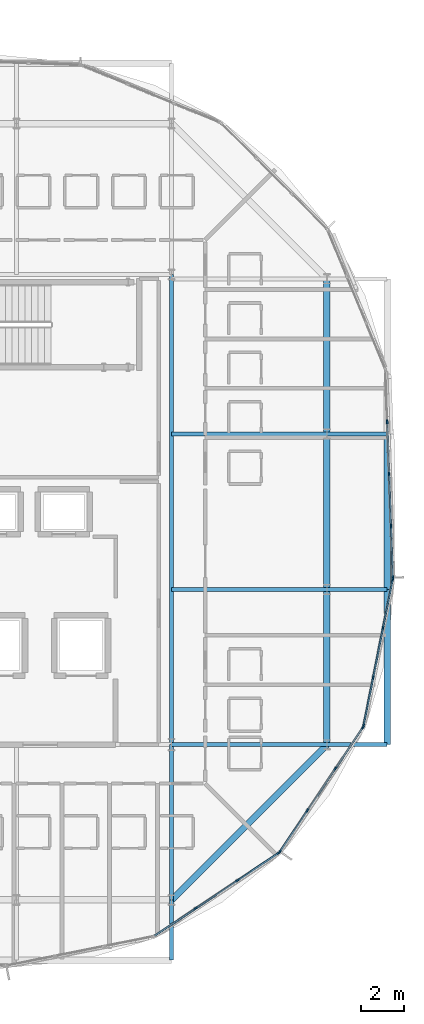
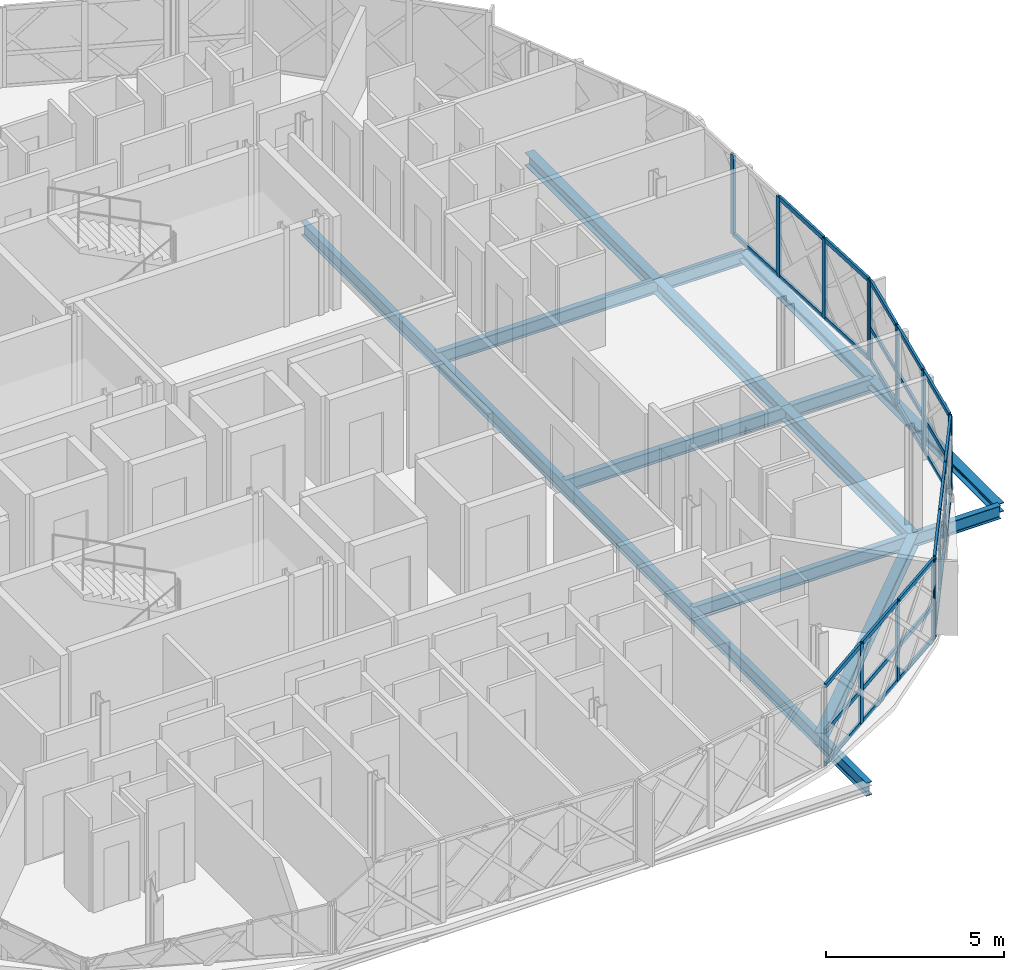
# One storey, part 11 of 40: 44 members, 15 beams, 4 elements without a shape of their own.
"""IFC4 building model written with IfcOpenShell, lengths in metres."""

from ifc_helpers import new_model, si_unit, direction, frame, origin, origin_2d, place, context, subcontext, project, spatial, rectangle, i_section, extrude, material, layer, layer_set, material_profile, profile_set, type_object, element, aggregate, save


model = new_model("IFC4")

# Units and contexts
model_context = context("Model", 3, precision=1e-05, world=origin(), true_north=direction((0.0, 1.0)))
body_context = subcontext(model_context, "Body", "Model", "MODEL_VIEW")
ifc_project = project(units=[si_unit("LENGTHUNIT", "METRE"), si_unit("AREAUNIT", "SQUARE_METRE"), si_unit("VOLUMEUNIT", "CUBIC_METRE"), si_unit("PLANEANGLEUNIT", "RADIAN"), si_unit("MASSUNIT", "GRAM", prefix="KILO")], contexts=[model_context])

# Site, building, storey
site_placement = place(None, origin())
site = spatial("IfcSite", under=ifc_project, at=site_placement, CompositionType="ELEMENT")
building_placement = place(site_placement, origin())
building = spatial("IfcBuilding", under=site, at=building_placement, Name="Zevrakil Square Congress Hotel", CompositionType="ELEMENT")
storey_placement = place(building_placement, frame((0.0, 0.0, 18.10009765625)))
storey = spatial("IfcBuildingStorey", under=building, at=storey_placement, Name="L05", CompositionType="ELEMENT", Elevation=18.10009765625)

# Beams
ifc_material_1 = material(Name="Steel S355", Category="steel")
ifc_material_profile_1 = material_profile(ifc_material_1, i_section(OverallWidth=0.300048828125, OverallDepth=0.43994140625, WebThickness=0.011474609375, FlangeThickness=0.02099609375, FilletRadius=0.027099609375, at=origin_2d()), Name="HEA 450")
ifc_profile_set_1 = profile_set([ifc_material_profile_1], Name="Steel S355")
beam_type_1 = type_object("IfcBeamType", Name="BM-HEA450", PredefinedType="BEAM", material=ifc_profile_set_1)
beam_1_placement = place(storey_placement, frame((156.0, 9.60009765625, -0.405029296875), z_axis=(0.707106781187, 0.707106781187, 0.0), x_axis=(-0.707106781187, 0.707106781187, 0.0)))
element("IfcBeam", 1, at=beam_1_placement, inside=storey, type_object=beam_type_1, Name="L05 drum ring girder DRB-04", PredefinedType="BEAM", context=body_context, shape_type="SweptSolid", body=[
    extrude(i_section(OverallWidth=0.300048828125, OverallDepth=0.43994140625, WebThickness=0.011474609375, FlangeThickness=0.02099609375, FilletRadius=0.027099609375, at=origin_2d()), origin(), (0.0, 0.0, 1.0), 10.182373046875),
])
for number, where, z_axis, x_axis, name in (
    (2, (163.199951171875, 16.800048828125, -0.405029296875), (0.0, 1.0, 0.0), (-1.0, 0.0, 0.0), "L05 drum ring girder DRB-05"),
    (3, (163.199951171875, 24.0, -0.405029296875), (0.0, 1.0, 0.0), (-1.0, 0.0, 0.0), "L05 drum ring girder DRB-06"),
    (4, (163.199951171875, 31.199951171875, -0.405029296875), (0.0, 1.0, 0.0), (-1.0, 0.0, 0.0), "L05 drum ring girder DRB-07"),
):
    element("IfcBeam", number, at=place(storey_placement, frame(where, z_axis=z_axis, x_axis=x_axis)), inside=storey, type_object=beam_type_1, Name=name, PredefinedType="BEAM", context=body_context, shape_type="SweptSolid", body=[
        extrude(i_section(OverallWidth=0.300048828125, OverallDepth=0.43994140625, WebThickness=0.011474609375, FlangeThickness=0.02099609375, FilletRadius=0.027099609375, at=origin_2d()), origin(), (0.0, 0.0, 1.0), 7.199951171875),
    ])
ifc_material_2 = material(Name="Steel S355", Category="steel")
ifc_material_profile_2 = material_profile(ifc_material_2, i_section(OverallWidth=0.18994140625, OverallDepth=0.449951171875, WebThickness=0.009521484375, FlangeThickness=0.0146484375, FilletRadius=0.02099609375, at=origin_2d()), Name="IPE 450")
ifc_profile_set_2 = profile_set([ifc_material_profile_2], Name="Steel S355")
beam_type_2 = type_object("IfcBeamType", Name="BM-IPE450", PredefinedType="BEAM", material=ifc_profile_set_2)
beam_2_placement = place(storey_placement, frame((156.0, 16.800048828125, -0.41015625), z_axis=(0.0, 1.0, 0.0), x_axis=(-1.0, 0.0, 0.0)))
element("IfcBeam", 5, at=beam_2_placement, inside=storey, type_object=beam_type_2, Name="L05 drum core perimeter tie beam DCB-02", PredefinedType="BEAM", context=body_context, shape_type="SweptSolid", body=[
    extrude(i_section(OverallWidth=0.18994140625, OverallDepth=0.449951171875, WebThickness=0.009521484375, FlangeThickness=0.0146484375, FilletRadius=0.02099609375, at=origin_2d()), origin(), (0.0, 0.0, 1.0), 21.800048828125),
])
beam_3_placement = place(storey_placement, frame((156.0, 16.800048828125, -0.41015625), z_axis=(0.0, -1.0, 0.0), x_axis=(1.0, 0.0, 0.0)))
element("IfcBeam", 6, at=beam_3_placement, inside=storey, type_object=beam_type_2, Name="L05 drum radial floor beam DRI-04", PredefinedType="BEAM", context=body_context, shape_type="SweptSolid", body=[
    extrude(i_section(OverallWidth=0.18994140625, OverallDepth=0.449951171875, WebThickness=0.009521484375, FlangeThickness=0.0146484375, FilletRadius=0.02099609375, at=origin_2d()), origin(), (0.0, 0.0, 1.0), 7.199951171875),
])
beam_4_placement = place(storey_placement, frame((156.0, 9.60009765625, -0.41015625), z_axis=(0.0, -1.0, 0.0), x_axis=(1.0, 0.0, 0.0)))
element("IfcBeam", 7, at=beam_4_placement, inside=storey, type_object=beam_type_2, Name="L05 drum radial edge cantilever beam DRO-04", PredefinedType="BEAM", context=body_context, shape_type="SweptSolid", body=[
    extrude(i_section(OverallWidth=0.18994140625, OverallDepth=0.449951171875, WebThickness=0.009521484375, FlangeThickness=0.0146484375, FilletRadius=0.02099609375, at=origin_2d()), origin(), (0.0, 0.0, 1.0), 2.79248046875),
])
beam_5_placement = place(storey_placement, frame((156.0, 16.800048828125, -0.41015625), z_axis=(1.0, 0.0, 0.0), x_axis=(0.0, 1.0, 0.0)))
element("IfcBeam", 8, at=beam_5_placement, inside=storey, type_object=beam_type_2, Name="L05 drum radial floor beam DRI-05", PredefinedType="BEAM", context=body_context, shape_type="SweptSolid", body=[
    extrude(i_section(OverallWidth=0.18994140625, OverallDepth=0.449951171875, WebThickness=0.009521484375, FlangeThickness=0.0146484375, FilletRadius=0.02099609375, at=origin_2d()), origin(), (0.0, 0.0, 1.0), 7.199951171875),
])
beam_6_placement = place(storey_placement, frame((163.199951171875, 16.800048828125, -0.41015625), z_axis=(1.0, 0.0, 0.0), x_axis=(0.0, 1.0, 0.0)))
element("IfcBeam", 9, at=beam_6_placement, inside=storey, type_object=beam_type_2, Name="L05 drum radial edge cantilever beam DRO-05", PredefinedType="BEAM", context=body_context, shape_type="SweptSolid", body=[
    extrude(i_section(OverallWidth=0.18994140625, OverallDepth=0.449951171875, WebThickness=0.009521484375, FlangeThickness=0.0146484375, FilletRadius=0.02099609375, at=origin_2d()), origin(), (0.0, 0.0, 1.0), 2.79248046875),
])
beam_7_placement = place(storey_placement, frame((156.0, 24.0, -0.41015625), z_axis=(1.0, 0.0, 0.0), x_axis=(0.0, 1.0, 0.0)))
element("IfcBeam", 10, at=beam_7_placement, inside=storey, type_object=beam_type_2, Name="L05 drum radial floor beam DRI-06", PredefinedType="BEAM", context=body_context, shape_type="SweptSolid", body=[
    extrude(i_section(OverallWidth=0.18994140625, OverallDepth=0.449951171875, WebThickness=0.009521484375, FlangeThickness=0.0146484375, FilletRadius=0.02099609375, at=origin_2d()), origin(), (0.0, 0.0, 1.0), 7.199951171875),
])
beam_8_placement = place(storey_placement, frame((163.199951171875, 24.0, -0.41015625), z_axis=(1.0, 0.0, 0.0), x_axis=(0.0, 1.0, 0.0)))
element("IfcBeam", 11, at=beam_8_placement, inside=storey, type_object=beam_type_2, Name="L05 drum radial edge cantilever beam DRO-06", PredefinedType="BEAM", context=body_context, shape_type="SweptSolid", body=[
    extrude(i_section(OverallWidth=0.18994140625, OverallDepth=0.449951171875, WebThickness=0.009521484375, FlangeThickness=0.0146484375, FilletRadius=0.02099609375, at=origin_2d()), origin(), (0.0, 0.0, 1.0), 2.79248046875),
])
beam_9_placement = place(storey_placement, frame((156.0, 31.199951171875, -0.41015625), z_axis=(1.0, 0.0, 0.0), x_axis=(0.0, 1.0, 0.0)))
element("IfcBeam", 12, at=beam_9_placement, inside=storey, type_object=beam_type_2, Name="L05 drum radial floor beam DRI-07", PredefinedType="BEAM", context=body_context, shape_type="SweptSolid", body=[
    extrude(i_section(OverallWidth=0.18994140625, OverallDepth=0.449951171875, WebThickness=0.009521484375, FlangeThickness=0.0146484375, FilletRadius=0.02099609375, at=origin_2d()), origin(), (0.0, 0.0, 1.0), 7.199951171875),
])
beam_10_placement = place(storey_placement, frame((163.199951171875, 31.199951171875, -0.41015625), z_axis=(1.0, 0.0, 0.0), x_axis=(0.0, 1.0, 0.0)))
element("IfcBeam", 13, at=beam_10_placement, inside=storey, type_object=beam_type_2, Name="L05 drum radial edge cantilever beam DRO-07", PredefinedType="BEAM", context=body_context, shape_type="SweptSolid", body=[
    extrude(i_section(OverallWidth=0.18994140625, OverallDepth=0.449951171875, WebThickness=0.009521484375, FlangeThickness=0.0146484375, FilletRadius=0.02099609375, at=origin_2d()), origin(), (0.0, 0.0, 1.0), 2.79248046875),
])

# Curtain wall, members
ifc_material_3 = material(Name="Aluminium Anodised Bronze", Category="aluminium")
ifc_layer_1 = layer(ifc_material_3, 0.179931640625)
ifc_layer_set_1 = layer_set([ifc_layer_1], Name="Aluminium Anodised Bronze")
curtain_wall_type_1 = type_object("IfcCurtainWallType", Name="CW-L05-720", PredefinedType="USERDEFINED", material=ifc_layer_set_1)
curtain_wall_1_placement = place(storey_placement, origin())
curtain_wall_1 = element("IfcCurtainWall", 14, at=curtain_wall_1_placement, inside=storey, type_object=curtain_wall_type_1, Name="L05 diamond curtain wall CW-L05-0184", ObjectType="GLAZED CURTAIN WALL", PredefinedType="USERDEFINED")
ifc_material_4 = material(Name="Aluminium Anodised Bronze", Category="aluminium")
ifc_material_profile_3 = material_profile(ifc_material_4, rectangle(XDim=0.074951171875, YDim=0.14990234375, at=origin_2d()), Name="ALU 75x150")
ifc_profile_set_3 = profile_set([ifc_material_profile_3], Name="Aluminium Anodised Bronze")
member_type_1 = type_object("IfcMemberType", Name="CWM-ALU75x150", PredefinedType="USERDEFINED", material=ifc_profile_set_3)
member_1_placement = place(storey_placement, frame((155.218505859375, 7.947509765625, 0.02978515625), z_axis=(0.831464280743, 0.555578212179, 0.0), x_axis=(-0.555578212179, 0.831464280743, 0.0)))
member_1 = element("IfcMember", 15, at=member_1_placement, type_object=member_type_1, Name="CW-58 transom 1.1", ObjectType="TRANSOM", PredefinedType="USERDEFINED", context=body_context, shape_type="SweptSolid", body=[
    extrude(rectangle(XDim=0.074951171875, YDim=0.14990234375, at=origin_2d()), origin(), (0.0, 0.0, 1.0), 2.2451171875),
])
member_2_placement = place(storey_placement, frame((155.218505859375, 7.947509765625, 1.15283203125), z_axis=(0.831464280743, 0.555578212179, 0.0), x_axis=(-0.555578212179, 0.831464280743, 0.0)))
member_2 = element("IfcMember", 16, at=member_2_placement, type_object=member_type_1, Name="CW-58 transom 1.2", ObjectType="TRANSOM", PredefinedType="USERDEFINED", context=body_context, shape_type="SweptSolid", body=[
    extrude(rectangle(XDim=0.074951171875, YDim=0.14990234375, at=origin_2d()), origin(), (0.0, 0.0, 1.0), 2.2451171875),
])
member_3_placement = place(storey_placement, frame((155.218505859375, 7.947509765625, 2.71484375), z_axis=(0.831464280743, 0.555578212179, 0.0), x_axis=(-0.555578212179, 0.831464280743, 0.0)))
member_3 = element("IfcMember", 17, at=member_3_placement, type_object=member_type_1, Name="CW-58 transom 1.3", ObjectType="TRANSOM", PredefinedType="USERDEFINED", context=body_context, shape_type="SweptSolid", body=[
    extrude(rectangle(XDim=0.074951171875, YDim=0.14990234375, at=origin_2d()), origin(), (0.0, 0.0, 1.0), 2.2451171875),
])
member_4_placement = place(storey_placement, frame((157.13525390625, 9.228271484375, 0.02978515625), z_axis=(0.831455548606, 0.555591280253, 0.0), x_axis=(-0.555591280253, 0.831455548606, 0.0)))
member_4 = element("IfcMember", 18, at=member_4_placement, type_object=member_type_1, Name="CW-58 transom 2.1", ObjectType="TRANSOM", PredefinedType="USERDEFINED", context=body_context, shape_type="SweptSolid", body=[
    extrude(rectangle(XDim=0.074951171875, YDim=0.14990234375, at=origin_2d()), origin(), (0.0, 0.0, 1.0), 2.275390625),
])
member_5_placement = place(storey_placement, frame((157.13525390625, 9.228271484375, 1.15283203125), z_axis=(0.831455548606, 0.555591280253, 0.0), x_axis=(-0.555591280253, 0.831455548606, 0.0)))
member_5 = element("IfcMember", 19, at=member_5_placement, type_object=member_type_1, Name="CW-58 transom 2.2", ObjectType="TRANSOM", PredefinedType="USERDEFINED", context=body_context, shape_type="SweptSolid", body=[
    extrude(rectangle(XDim=0.074951171875, YDim=0.14990234375, at=origin_2d()), origin(), (0.0, 0.0, 1.0), 2.275390625),
])
member_6_placement = place(storey_placement, frame((157.13525390625, 9.228271484375, 2.71484375), z_axis=(0.831455548606, 0.555591280253, 0.0), x_axis=(-0.555591280253, 0.831455548606, 0.0)))
member_6 = element("IfcMember", 20, at=member_6_placement, type_object=member_type_1, Name="CW-58 transom 2.3", ObjectType="TRANSOM", PredefinedType="USERDEFINED", context=body_context, shape_type="SweptSolid", body=[
    extrude(rectangle(XDim=0.074951171875, YDim=0.14990234375, at=origin_2d()), origin(), (0.0, 0.0, 1.0), 2.275390625),
])
member_7_placement = place(storey_placement, frame((159.076904296875, 10.525634765625, 0.02978515625), z_axis=(0.831464280743, 0.555578212179, 0.0), x_axis=(-0.555578212179, 0.831464280743, 0.0)))
member_7 = element("IfcMember", 21, at=member_7_placement, type_object=member_type_1, Name="CW-58 transom 3.1", ObjectType="TRANSOM", PredefinedType="USERDEFINED", context=body_context, shape_type="SweptSolid", body=[
    extrude(rectangle(XDim=0.074951171875, YDim=0.14990234375, at=origin_2d()), origin(), (0.0, 0.0, 1.0), 2.2451171875),
])
member_8_placement = place(storey_placement, frame((159.076904296875, 10.525634765625, 1.15283203125), z_axis=(0.831464280743, 0.555578212179, 0.0), x_axis=(-0.555578212179, 0.831464280743, 0.0)))
member_8 = element("IfcMember", 22, at=member_8_placement, type_object=member_type_1, Name="CW-58 transom 3.2", ObjectType="TRANSOM", PredefinedType="USERDEFINED", context=body_context, shape_type="SweptSolid", body=[
    extrude(rectangle(XDim=0.074951171875, YDim=0.14990234375, at=origin_2d()), origin(), (0.0, 0.0, 1.0), 2.2451171875),
])
member_9_placement = place(storey_placement, frame((159.076904296875, 10.525634765625, 2.71484375), z_axis=(0.831464280743, 0.555578212179, 0.0), x_axis=(-0.555578212179, 0.831464280743, 0.0)))
member_9 = element("IfcMember", 23, at=member_9_placement, type_object=member_type_1, Name="CW-58 transom 3.3", ObjectType="TRANSOM", PredefinedType="USERDEFINED", context=body_context, shape_type="SweptSolid", body=[
    extrude(rectangle(XDim=0.074951171875, YDim=0.14990234375, at=origin_2d()), origin(), (0.0, 0.0, 1.0), 2.2451171875),
])

curtain_wall_2_placement = place(storey_placement, origin())
curtain_wall_2 = element("IfcCurtainWall", 24, at=curtain_wall_2_placement, inside=storey, type_object=curtain_wall_type_1, Name="L05 diamond curtain wall CW-L05-0185", ObjectType="GLAZED CURTAIN WALL", PredefinedType="USERDEFINED")
member_10_placement = place(storey_placement, frame((161.02685546875, 11.856201171875, 0.02978515625), z_axis=(0.555603153119, 0.831447614853, 0.0), x_axis=(-0.831447614853, 0.555603153119, 0.0)))
member_10 = element("IfcMember", 25, at=member_10_placement, type_object=member_type_1, Name="CW-58 transom 1.1", ObjectType="TRANSOM", PredefinedType="USERDEFINED", context=body_context, shape_type="SweptSolid", body=[
    extrude(rectangle(XDim=0.074951171875, YDim=0.14990234375, at=origin_2d()), origin(), (0.0, 0.0, 1.0), 2.245361328125),
])
member_11_placement = place(storey_placement, frame((161.02685546875, 11.856201171875, 2.71484375), z_axis=(0.555603153119, 0.831447614853, 0.0), x_axis=(-0.831447614853, 0.555603153119, 0.0)))
member_11 = element("IfcMember", 26, at=member_11_placement, type_object=member_type_1, Name="CW-58 transom 1.2", ObjectType="TRANSOM", PredefinedType="USERDEFINED", context=body_context, shape_type="SweptSolid", body=[
    extrude(rectangle(XDim=0.074951171875, YDim=0.14990234375, at=origin_2d()), origin(), (0.0, 0.0, 1.0), 2.245361328125),
])
member_12_placement = place(storey_placement, frame((162.3076171875, 13.77294921875, 0.02978515625), z_axis=(0.555591280253, 0.831455548606, 0.0), x_axis=(-0.831455548606, 0.555591280253, 0.0)))
member_12 = element("IfcMember", 27, at=member_12_placement, type_object=member_type_1, Name="CW-58 transom 2.1", ObjectType="TRANSOM", PredefinedType="USERDEFINED", context=body_context, shape_type="SweptSolid", body=[
    extrude(rectangle(XDim=0.074951171875, YDim=0.14990234375, at=origin_2d()), origin(), (0.0, 0.0, 1.0), 2.275390625),
])
member_13_placement = place(storey_placement, frame((162.3076171875, 13.77294921875, 2.71484375), z_axis=(0.555591280253, 0.831455548606, 0.0), x_axis=(-0.831455548606, 0.555591280253, 0.0)))
member_13 = element("IfcMember", 28, at=member_13_placement, type_object=member_type_1, Name="CW-58 transom 2.2", ObjectType="TRANSOM", PredefinedType="USERDEFINED", context=body_context, shape_type="SweptSolid", body=[
    extrude(rectangle(XDim=0.074951171875, YDim=0.14990234375, at=origin_2d()), origin(), (0.0, 0.0, 1.0), 2.275390625),
])
member_14_placement = place(storey_placement, frame((163.60498046875, 15.714599609375, 0.02978515625), z_axis=(0.555603153119, 0.831447614853, 0.0), x_axis=(-0.831447614853, 0.555603153119, 0.0)))
member_14 = element("IfcMember", 29, at=member_14_placement, type_object=member_type_1, Name="CW-58 transom 3.1", ObjectType="TRANSOM", PredefinedType="USERDEFINED", context=body_context, shape_type="SweptSolid", body=[
    extrude(rectangle(XDim=0.074951171875, YDim=0.14990234375, at=origin_2d()), origin(), (0.0, 0.0, 1.0), 2.245361328125),
])
member_15_placement = place(storey_placement, frame((163.60498046875, 15.714599609375, 2.71484375), z_axis=(0.555603153119, 0.831447614853, 0.0), x_axis=(-0.831447614853, 0.555603153119, 0.0)))
member_15 = element("IfcMember", 30, at=member_15_placement, type_object=member_type_1, Name="CW-58 transom 3.2", ObjectType="TRANSOM", PredefinedType="USERDEFINED", context=body_context, shape_type="SweptSolid", body=[
    extrude(rectangle(XDim=0.074951171875, YDim=0.14990234375, at=origin_2d()), origin(), (0.0, 0.0, 1.0), 2.245361328125),
])

curtain_wall_3_placement = place(storey_placement, origin())
curtain_wall_3 = element("IfcCurtainWall", 31, at=curtain_wall_3_placement, inside=storey, type_object=curtain_wall_type_1, Name="L05 diamond curtain wall CW-L05-0186", ObjectType="GLAZED CURTAIN WALL", PredefinedType="USERDEFINED")
member_16_placement = place(storey_placement, frame((164.8974609375, 17.690185546875, 0.02978515625), z_axis=(0.195070495322, 0.98078922397, 0.0), x_axis=(-0.98078922397, 0.195070495322, 0.0)))
member_16 = element("IfcMember", 32, at=member_16_placement, type_object=member_type_1, Name="CW-58 transom 1.1", ObjectType="TRANSOM", PredefinedType="USERDEFINED", context=body_context, shape_type="SweptSolid", body=[
    extrude(rectangle(XDim=0.074951171875, YDim=0.14990234375, at=origin_2d()), origin(), (0.0, 0.0, 1.0), 2.245361328125),
])
member_17_placement = place(storey_placement, frame((164.8974609375, 17.690185546875, 1.15283203125), z_axis=(0.195070495322, 0.98078922397, 0.0), x_axis=(-0.98078922397, 0.195070495322, 0.0)))
member_17 = element("IfcMember", 33, at=member_17_placement, type_object=member_type_1, Name="CW-58 transom 1.2", ObjectType="TRANSOM", PredefinedType="USERDEFINED", context=body_context, shape_type="SweptSolid", body=[
    extrude(rectangle(XDim=0.074951171875, YDim=0.14990234375, at=origin_2d()), origin(), (0.0, 0.0, 1.0), 2.245361328125),
])
member_18_placement = place(storey_placement, frame((164.8974609375, 17.690185546875, 2.71484375), z_axis=(0.195070495322, 0.98078922397, 0.0), x_axis=(-0.98078922397, 0.195070495322, 0.0)))
member_18 = element("IfcMember", 34, at=member_18_placement, type_object=member_type_1, Name="CW-58 transom 1.3", ObjectType="TRANSOM", PredefinedType="USERDEFINED", context=body_context, shape_type="SweptSolid", body=[
    extrude(rectangle(XDim=0.074951171875, YDim=0.14990234375, at=origin_2d()), origin(), (0.0, 0.0, 1.0), 2.245361328125),
])
member_19_placement = place(storey_placement, frame((165.34716796875, 19.951171875, 0.02978515625), z_axis=(0.195084227953, 0.980786492568, 0.0), x_axis=(-0.980786492568, 0.195084227953, 0.0)))
member_19 = element("IfcMember", 35, at=member_19_placement, type_object=member_type_1, Name="CW-58 transom 2.1", ObjectType="TRANSOM", PredefinedType="USERDEFINED", context=body_context, shape_type="SweptSolid", body=[
    extrude(rectangle(XDim=0.074951171875, YDim=0.14990234375, at=origin_2d()), origin(), (0.0, 0.0, 1.0), 2.275146484375),
])
member_20_placement = place(storey_placement, frame((165.34716796875, 19.951171875, 1.15283203125), z_axis=(0.195084227953, 0.980786492568, 0.0), x_axis=(-0.980786492568, 0.195084227953, 0.0)))
member_20 = element("IfcMember", 36, at=member_20_placement, type_object=member_type_1, Name="CW-58 transom 2.2", ObjectType="TRANSOM", PredefinedType="USERDEFINED", context=body_context, shape_type="SweptSolid", body=[
    extrude(rectangle(XDim=0.074951171875, YDim=0.14990234375, at=origin_2d()), origin(), (0.0, 0.0, 1.0), 2.275146484375),
])
member_21_placement = place(storey_placement, frame((165.34716796875, 19.951171875, 2.71484375), z_axis=(0.195084227953, 0.980786492568, 0.0), x_axis=(-0.980786492568, 0.195084227953, 0.0)))
member_21 = element("IfcMember", 37, at=member_21_placement, type_object=member_type_1, Name="CW-58 transom 2.3", ObjectType="TRANSOM", PredefinedType="USERDEFINED", context=body_context, shape_type="SweptSolid", body=[
    extrude(rectangle(XDim=0.074951171875, YDim=0.14990234375, at=origin_2d()), origin(), (0.0, 0.0, 1.0), 2.275146484375),
])
member_22_placement = place(storey_placement, frame((165.802734375, 22.241455078125, 0.02978515625), z_axis=(0.195070495322, 0.98078922397, 0.0), x_axis=(-0.98078922397, 0.195070495322, 0.0)))
member_22 = element("IfcMember", 38, at=member_22_placement, type_object=member_type_1, Name="CW-58 transom 3.1", ObjectType="TRANSOM", PredefinedType="USERDEFINED", context=body_context, shape_type="SweptSolid", body=[
    extrude(rectangle(XDim=0.074951171875, YDim=0.14990234375, at=origin_2d()), origin(), (0.0, 0.0, 1.0), 2.245361328125),
])
member_23_placement = place(storey_placement, frame((165.802734375, 22.241455078125, 1.15283203125), z_axis=(0.195070495322, 0.98078922397, 0.0), x_axis=(-0.98078922397, 0.195070495322, 0.0)))
member_23 = element("IfcMember", 39, at=member_23_placement, type_object=member_type_1, Name="CW-58 transom 3.2", ObjectType="TRANSOM", PredefinedType="USERDEFINED", context=body_context, shape_type="SweptSolid", body=[
    extrude(rectangle(XDim=0.074951171875, YDim=0.14990234375, at=origin_2d()), origin(), (0.0, 0.0, 1.0), 2.245361328125),
])
member_24_placement = place(storey_placement, frame((165.802734375, 22.241455078125, 2.71484375), z_axis=(0.195070495322, 0.98078922397, 0.0), x_axis=(-0.98078922397, 0.195070495322, 0.0)))
member_24 = element("IfcMember", 40, at=member_24_placement, type_object=member_type_1, Name="CW-58 transom 3.3", ObjectType="TRANSOM", PredefinedType="USERDEFINED", context=body_context, shape_type="SweptSolid", body=[
    extrude(rectangle(XDim=0.074951171875, YDim=0.14990234375, at=origin_2d()), origin(), (0.0, 0.0, 1.0), 2.245361328125),
])

ifc_material_5 = material(Name="Aluminium Anodised Bronze", Category="aluminium")
ifc_layer_2 = layer(ifc_material_5, 0.179931640625)
ifc_layer_set_2 = layer_set([ifc_layer_2], Name="Aluminium Anodised Bronze")
curtain_wall_type_2 = type_object("IfcCurtainWallType", Name="CW-L05-900", PredefinedType="USERDEFINED", material=ifc_layer_set_2)
curtain_wall_4_placement = place(storey_placement, origin())
curtain_wall_4 = element("IfcCurtainWall", 41, at=curtain_wall_4_placement, inside=storey, type_object=curtain_wall_type_2, Name="L05 diamond curtain wall CW-L05-0187", ObjectType="GLAZED CURTAIN WALL", PredefinedType="USERDEFINED")
member_25_placement = place(storey_placement, frame((166.25048828125, 24.5625, 0.02978515625), z_axis=(-0.035639339937, 0.999364716932, 0.0), x_axis=(-0.999364716932, -0.035639339937, 0.0)))
member_25 = element("IfcMember", 42, at=member_25_placement, type_object=member_type_1, Name="CW-60 transom 1.1", ObjectType="TRANSOM", PredefinedType="USERDEFINED", context=body_context, shape_type="SweptSolid", body=[
    extrude(rectangle(XDim=0.074951171875, YDim=0.14990234375, at=origin_2d()), origin(), (0.0, 0.0, 1.0), 2.3359375),
])
member_26_placement = place(storey_placement, frame((166.25048828125, 24.5625, 2.71484375), z_axis=(-0.035639339937, 0.999364716932, 0.0), x_axis=(-0.999364716932, -0.035639339937, 0.0)))
member_26 = element("IfcMember", 43, at=member_26_placement, type_object=member_type_1, Name="CW-60 transom 1.2", ObjectType="TRANSOM", PredefinedType="USERDEFINED", context=body_context, shape_type="SweptSolid", body=[
    extrude(rectangle(XDim=0.074951171875, YDim=0.14990234375, at=origin_2d()), origin(), (0.0, 0.0, 1.0), 2.3359375),
])
member_27_placement = place(storey_placement, frame((166.165283203125, 26.95703125, 0.02978515625), z_axis=(-0.035599516472, 0.999366136322, 0.0), x_axis=(-0.999366136322, -0.035599516472, 0.0)))
member_27 = element("IfcMember", 44, at=member_27_placement, type_object=member_type_1, Name="CW-60 transom 2.1", ObjectType="TRANSOM", PredefinedType="USERDEFINED", context=body_context, shape_type="SweptSolid", body=[
    extrude(rectangle(XDim=0.074951171875, YDim=0.14990234375, at=origin_2d()), origin(), (0.0, 0.0, 1.0), 2.365966796875),
])
member_28_placement = place(storey_placement, frame((166.165283203125, 26.95703125, 2.71484375), z_axis=(-0.035599516472, 0.999366136322, 0.0), x_axis=(-0.999366136322, -0.035599516472, 0.0)))
member_28 = element("IfcMember", 45, at=member_28_placement, type_object=member_type_1, Name="CW-60 transom 2.2", ObjectType="TRANSOM", PredefinedType="USERDEFINED", context=body_context, shape_type="SweptSolid", body=[
    extrude(rectangle(XDim=0.074951171875, YDim=0.14990234375, at=origin_2d()), origin(), (0.0, 0.0, 1.0), 2.365966796875),
])
member_29_placement = place(storey_placement, frame((166.078857421875, 29.38134765625, 0.02978515625), z_axis=(-0.035496459672, 0.999369802101, 0.0), x_axis=(-0.999369802101, -0.035496459672, 0.0)))
member_29 = element("IfcMember", 46, at=member_29_placement, type_object=member_type_1, Name="CW-60 transom 3.1", ObjectType="TRANSOM", PredefinedType="USERDEFINED", context=body_context, shape_type="SweptSolid", body=[
    extrude(rectangle(XDim=0.074951171875, YDim=0.14990234375, at=origin_2d()), origin(), (0.0, 0.0, 1.0), 2.365966796875),
])

# Member
ifc_material_6 = material(Name="Aluminium Anodised Bronze", Category="aluminium")
ifc_material_profile_4 = material_profile(ifc_material_6, rectangle(XDim=0.074951171875, YDim=0.179931640625, at=origin_2d()), Name="ALU 75x180")
ifc_profile_set_4 = profile_set([ifc_material_profile_4], Name="Aluminium Anodised Bronze")
member_type_2 = type_object("IfcMemberType", Name="CWM-ALU75x180", PredefinedType="MULLION", material=ifc_profile_set_4)
member_30_placement = place(storey_placement, frame((157.1103515625, 9.211669921875, 0.0), z_axis=(0.0, 0.0, 1.0), x_axis=(-0.555576098128, 0.831465693332, 0.0)))
member_30 = element("IfcMember", 47, at=member_30_placement, type_object=member_type_2, Name="CW-58 mullion 2", PredefinedType="MULLION", context=body_context, shape_type="SweptSolid", body=[
    extrude(rectangle(XDim=0.074951171875, YDim=0.179931640625, at=origin_2d()), origin(), (0.0, 0.0, 1.0), 2.744873046875),
])

member_31_placement = place(storey_placement, frame((159.052001953125, 10.509033203125, 0.0), z_axis=(0.0, 0.0, 1.0), x_axis=(-0.555576098128, 0.831465693332, 0.0)))
member_31 = element("IfcMember", 48, at=member_31_placement, type_object=member_type_2, Name="CW-58 mullion 3", PredefinedType="MULLION", context=body_context, shape_type="SweptSolid", body=[
    extrude(rectangle(XDim=0.074951171875, YDim=0.179931640625, at=origin_2d()), origin(), (0.0, 0.0, 1.0), 2.744873046875),
])

member_32_placement = place(storey_placement, frame((160.96875, 11.789794921875, 0.0), z_axis=(0.0, 0.0, 1.0), x_axis=(-0.555576098128, 0.831465693332, 0.0)))
member_32 = element("IfcMember", 49, at=member_32_placement, type_object=member_type_2, Name="CW-58 mullion 4", PredefinedType="MULLION", context=body_context, shape_type="SweptSolid", body=[
    extrude(rectangle(XDim=0.074951171875, YDim=0.179931640625, at=origin_2d()), origin(), (0.0, 0.0, 1.0), 2.744873046875),
])

aggregate(curtain_wall_1, [member_30, member_31, member_32, member_1, member_2, member_3, member_4, member_5, member_6, member_7, member_8, member_9])

member_33_placement = place(storey_placement, frame((161.01025390625, 11.831298828125, 0.0), z_axis=(0.0, 0.0, 1.0), x_axis=(-0.831465693332, 0.555576098128, 0.0)))
member_33 = element("IfcMember", 50, at=member_33_placement, type_object=member_type_2, Name="CW-58 mullion 1", PredefinedType="MULLION", context=body_context, shape_type="SweptSolid", body=[
    extrude(rectangle(XDim=0.074951171875, YDim=0.179931640625, at=origin_2d()), origin(), (0.0, 0.0, 1.0), 2.744873046875),
])

member_34_placement = place(storey_placement, frame((162.291015625, 13.748046875, 0.0), z_axis=(0.0, 0.0, 1.0), x_axis=(-0.831465693332, 0.555576098128, 0.0)))
member_34 = element("IfcMember", 51, at=member_34_placement, type_object=member_type_2, Name="CW-58 mullion 2", PredefinedType="MULLION", context=body_context, shape_type="SweptSolid", body=[
    extrude(rectangle(XDim=0.074951171875, YDim=0.179931640625, at=origin_2d()), origin(), (0.0, 0.0, 1.0), 2.744873046875),
])

member_35_placement = place(storey_placement, frame((163.58837890625, 15.689697265625, 0.0), z_axis=(0.0, 0.0, 1.0), x_axis=(-0.831465693332, 0.555576098128, 0.0)))
member_35 = element("IfcMember", 52, at=member_35_placement, type_object=member_type_2, Name="CW-58 mullion 3", PredefinedType="MULLION", context=body_context, shape_type="SweptSolid", body=[
    extrude(rectangle(XDim=0.074951171875, YDim=0.179931640625, at=origin_2d()), origin(), (0.0, 0.0, 1.0), 2.744873046875),
])

member_36_placement = place(storey_placement, frame((164.869140625, 17.6064453125, 0.0), z_axis=(0.0, 0.0, 1.0), x_axis=(-0.831465693332, 0.555576098128, 0.0)))
member_36 = element("IfcMember", 53, at=member_36_placement, type_object=member_type_2, Name="CW-58 mullion 4", PredefinedType="MULLION", context=body_context, shape_type="SweptSolid", body=[
    extrude(rectangle(XDim=0.074951171875, YDim=0.179931640625, at=origin_2d()), origin(), (0.0, 0.0, 1.0), 2.744873046875),
])

aggregate(curtain_wall_2, [member_33, member_34, member_35, member_36, member_10, member_11, member_12, member_13, member_14, member_15])

member_37_placement = place(storey_placement, frame((164.8916015625, 17.660888671875, 0.0), z_axis=(0.0, 0.0, 1.0), x_axis=(-0.980786557708, 0.195083900459, 0.0)))
member_37 = element("IfcMember", 54, at=member_37_placement, type_object=member_type_2, Name="CW-58 mullion 1", PredefinedType="MULLION", context=body_context, shape_type="SweptSolid", body=[
    extrude(rectangle(XDim=0.074951171875, YDim=0.179931640625, at=origin_2d()), origin(), (0.0, 0.0, 1.0), 2.744873046875),
])

member_38_placement = place(storey_placement, frame((165.34130859375, 19.921875, 0.0), z_axis=(0.0, 0.0, 1.0), x_axis=(-0.980786557708, 0.195083900459, 0.0)))
member_38 = element("IfcMember", 55, at=member_38_placement, type_object=member_type_2, Name="CW-58 mullion 2", PredefinedType="MULLION", context=body_context, shape_type="SweptSolid", body=[
    extrude(rectangle(XDim=0.074951171875, YDim=0.179931640625, at=origin_2d()), origin(), (0.0, 0.0, 1.0), 2.744873046875),
])

member_39_placement = place(storey_placement, frame((165.796875, 22.212158203125, 0.0), z_axis=(0.0, 0.0, 1.0), x_axis=(-0.980786557708, 0.195083900459, 0.0)))
member_39 = element("IfcMember", 56, at=member_39_placement, type_object=member_type_2, Name="CW-58 mullion 3", PredefinedType="MULLION", context=body_context, shape_type="SweptSolid", body=[
    extrude(rectangle(XDim=0.074951171875, YDim=0.179931640625, at=origin_2d()), origin(), (0.0, 0.0, 1.0), 2.744873046875),
])

member_40_placement = place(storey_placement, frame((166.24658203125, 24.47314453125, 0.0), z_axis=(0.0, 0.0, 1.0), x_axis=(-0.980786557708, 0.195083900459, 0.0)))
member_40 = element("IfcMember", 57, at=member_40_placement, type_object=member_type_2, Name="CW-58 mullion 4", PredefinedType="MULLION", context=body_context, shape_type="SweptSolid", body=[
    extrude(rectangle(XDim=0.074951171875, YDim=0.179931640625, at=origin_2d()), origin(), (0.0, 0.0, 1.0), 2.744873046875),
])

aggregate(curtain_wall_3, [member_37, member_38, member_39, member_40, member_16, member_17, member_18, member_19, member_20, member_21, member_22, member_23, member_24])

member_41_placement = place(storey_placement, frame((166.25146484375, 24.532470703125, 0.0), z_axis=(0.0, 0.0, 1.0), x_axis=(-0.999367806889, -0.035552588564, 0.0)))
member_41 = element("IfcMember", 58, at=member_41_placement, type_object=member_type_2, Name="CW-60 mullion 1", PredefinedType="MULLION", context=body_context, shape_type="SweptSolid", body=[
    extrude(rectangle(XDim=0.074951171875, YDim=0.179931640625, at=origin_2d()), origin(), (0.0, 0.0, 1.0), 2.744873046875),
])

member_42_placement = place(storey_placement, frame((166.166259765625, 26.927001953125, 0.0), z_axis=(0.0, 0.0, 1.0), x_axis=(-0.999367806889, -0.035552588564, 0.0)))
member_42 = element("IfcMember", 59, at=member_42_placement, type_object=member_type_2, Name="CW-60 mullion 2", PredefinedType="MULLION", context=body_context, shape_type="SweptSolid", body=[
    extrude(rectangle(XDim=0.074951171875, YDim=0.179931640625, at=origin_2d()), origin(), (0.0, 0.0, 1.0), 2.744873046875),
])

member_43_placement = place(storey_placement, frame((166.080078125, 29.351318359375, 0.0), z_axis=(0.0, 0.0, 1.0), x_axis=(-0.999367806889, -0.035552588564, 0.0)))
member_43 = element("IfcMember", 60, at=member_43_placement, type_object=member_type_2, Name="CW-60 mullion 3", PredefinedType="MULLION", context=body_context, shape_type="SweptSolid", body=[
    extrude(rectangle(XDim=0.074951171875, YDim=0.179931640625, at=origin_2d()), origin(), (0.0, 0.0, 1.0), 2.744873046875),
])

member_44_placement = place(storey_placement, frame((165.99365234375, 31.77587890625, 0.0), z_axis=(0.0, 0.0, 1.0), x_axis=(-0.999367806889, -0.035552588564, 0.0)))
member_44 = element("IfcMember", 61, at=member_44_placement, type_object=member_type_2, Name="CW-60 mullion 4", PredefinedType="MULLION", context=body_context, shape_type="SweptSolid", body=[
    extrude(rectangle(XDim=0.074951171875, YDim=0.179931640625, at=origin_2d()), origin(), (0.0, 0.0, 1.0), 2.744873046875),
])

aggregate(curtain_wall_4, [member_41, member_42, member_43, member_44, member_25, member_26, member_27, member_28, member_29])

# Beams
ifc_material_7 = material(Name="Steel S355", Category="steel")
ifc_material_profile_5 = material_profile(ifc_material_7, i_section(OverallWidth=0.300048828125, OverallDepth=0.300048828125, WebThickness=0.010986328125, FlangeThickness=0.01904296875, FilletRadius=0.027099609375, at=origin_2d()), Name="HEB 300")
ifc_profile_set_5 = profile_set([ifc_material_profile_5], Name="Steel S355")
beam_type_3 = type_object("IfcBeamType", Name="SPD-RHS250", PredefinedType="SPANDREL", material=ifc_profile_set_5)
for number, where, z_axis, x_axis, name in (
    (62, (165.992431640625, 16.800048828125, -0.335205078125), (0.0, 1.0, 0.0), (-1.0, 0.0, 0.0), "L05 drum edge spandrel beam DSP-04"),
    (63, (165.992431640625, 24.0, -0.335205078125), (0.0, 1.0, 0.0), (-1.0, 0.0, 0.0), "L05 drum edge spandrel beam DSP-05"),
):
    element("IfcBeam", number, at=place(storey_placement, frame(where, z_axis=z_axis, x_axis=x_axis)), inside=storey, type_object=beam_type_3, Name=name, PredefinedType="SPANDREL", context=body_context, shape_type="SweptSolid", body=[
        extrude(i_section(OverallWidth=0.300048828125, OverallDepth=0.300048828125, WebThickness=0.010986328125, FlangeThickness=0.01904296875, FilletRadius=0.027099609375, at=origin_2d()), origin(), (0.0, 0.0, 1.0), 7.199951171875),
    ])

save(model, "model.ifc")
